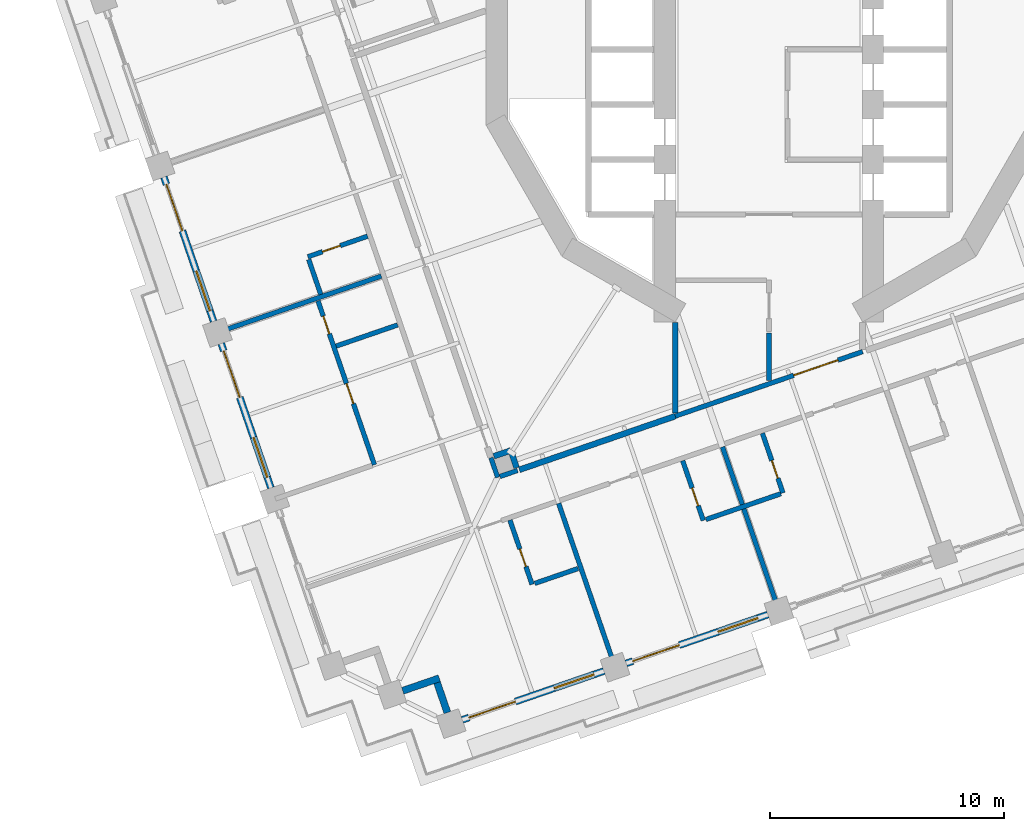
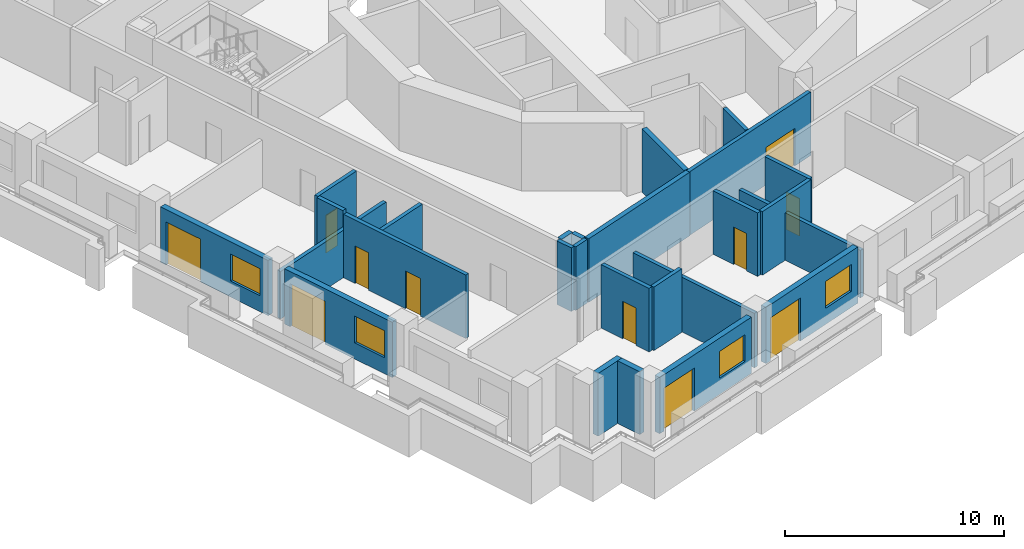
# One storey, part 4 of 19: 26 walls, 11 doors, 4 windows, 15 openings.
"""IFC4 building model written with IfcOpenShell, lengths in metres."""

import ifcopenshell
import ifcopenshell.guid

model = None  # the IFC model being written
_history = None  # IfcOwnerHistory: only IFC2X3 demands one
_inside = {}  # id of a spatial element -> (the spatial element, [elements in it])
_under = {}  # id of a project, library or spatial element -> (it, [spatial elements below it])
_declared = {}  # id of a project -> (the project, [libraries it declares])
_typed = {}  # id of a type object -> (the type object, [elements of that type])
_made_of = {}  # id of a material, layer set ... -> (it, [elements and type objects made of it])


def new_model(schema):
    """Start an empty IFC model of exactly this schema.

    Asked for "IFC4X3", IfcOpenShell would pick the latest addendum, in which some entities
    have other attributes; the version numbers below select the first issue.
    IFC2X3 requires an IfcOwnerHistory on every rooted entity: one is made here for all.
    """
    global model, _history
    if schema == "IFC4X3":
        model = ifcopenshell.file(schema_version=(4, 3, 0, 0))
    else:
        model = ifcopenshell.file(schema=schema)
    _inside.clear()
    _under.clear()
    _declared.clear()
    _typed.clear()
    _made_of.clear()
    _history = None
    if model.schema == "IFC2X3":
        org = make("IfcOrganization", Name="unknown")
        user = make(
            "IfcPersonAndOrganization",
            ThePerson=make("IfcPerson", FamilyName="unknown"),
            TheOrganization=org,
        )
        app = make(
            "IfcApplication",
            ApplicationDeveloper=org,
            Version="unknown",
            ApplicationFullName="unknown",
            ApplicationIdentifier="unknown",
        )
        _history = make(
            "IfcOwnerHistory",
            OwningUser=user,
            OwningApplication=app,
            ChangeAction="ADDED",
            CreationDate=0,
        )
    return model


def make(cls, **values):
    """One entity of the class cls with the attributes given. An attribute that is None is left unset."""
    return model.create_entity(
        cls, **{name: value for name, value in values.items() if value is not None}
    )


def rooted(cls, **values):
    """An entity with a GlobalId (a new one), such as an element, a storey or a relation."""
    return make(cls, GlobalId=ifcopenshell.guid.new(), OwnerHistory=_history, **values)


def si_unit(unit_type, name, prefix=None):
    """IfcSIUnit, for example si_unit("LENGTHUNIT", "METRE", prefix="MILLI")."""
    return make("IfcSIUnit", UnitType=unit_type, Prefix=prefix, Name=name)


def assignment(units):
    """IfcUnitAssignment: the units of a project."""
    return None if units is None else make("IfcUnitAssignment", Units=units)


def point(xyz):
    """IfcCartesianPoint."""
    return None if xyz is None else make("IfcCartesianPoint", Coordinates=xyz)


def direction(xyz):
    """IfcDirection."""
    return None if xyz is None else make("IfcDirection", DirectionRatios=xyz)


def frame(location, z_axis=None, x_axis=None):
    """IfcAxis2Placement3D, a coordinate frame: its origin and axes. An axis left out is left unset."""
    return make(
        "IfcAxis2Placement3D",
        Location=point(location),
        Axis=direction(z_axis),
        RefDirection=direction(x_axis),
    )


def frame_2d(location, x_axis=None):
    """IfcAxis2Placement2D, a coordinate frame in the plane: its origin and x axis."""
    return make(
        "IfcAxis2Placement2D", Location=point(location), RefDirection=direction(x_axis)
    )


def origin():
    """The frame at (0, 0, 0) with its axes left unset."""
    return frame((0.0, 0.0, 0.0))


def place(relative_to, where):
    """IfcLocalPlacement: puts the frame where relative to a parent placement (None: the world)."""
    return make(
        "IfcLocalPlacement", PlacementRelTo=relative_to, RelativePlacement=where
    )


def context(
    kind, dimensions, precision=None, world=None, true_north=None, identifier=None
):
    """IfcGeometricRepresentationContext, for example the 3D "Model" context."""
    return make(
        "IfcGeometricRepresentationContext",
        ContextIdentifier=identifier,
        ContextType=kind,
        CoordinateSpaceDimension=dimensions,
        Precision=precision,
        WorldCoordinateSystem=world,
        TrueNorth=true_north,
    )


def subcontext(parent, identifier, kind, view, scale=None):
    """IfcGeometricRepresentationSubContext, for example "Body" below "Model"."""
    return make(
        "IfcGeometricRepresentationSubContext",
        ContextIdentifier=identifier,
        ContextType=kind,
        ParentContext=parent,
        TargetScale=scale,
        TargetView=view,
    )


def project(units=None, contexts=None):
    """IfcProject with its units and contexts."""
    return rooted(
        "IfcProject",
        Name="project",
        RepresentationContexts=contexts,
        UnitsInContext=assignment(units),
    )


def spatial(cls, under=None, at=None, **own):
    """A site, building, storey or space (cls), placed at a placement, below another one or the project."""
    s = rooted(cls, ObjectPlacement=at, **own)
    if under is not None:
        _under.setdefault(under.id(), (under, []))[1].append(s)
    return s


def profile(cls, at=None, kind="AREA", **sizes):
    """A parametric profile (cls). Its sizes go by their IFC names, for example OverallWidth=200.0."""
    return make(cls, ProfileType=kind, Position=at, **sizes)


def rectangle(**sizes):
    """IfcRectangleProfileDef."""
    return profile("IfcRectangleProfileDef", **sizes)


def extrude(swept, where, along, depth):
    """IfcExtrudedAreaSolid: the profile swept, set in the frame where, extruded along a direction by depth."""
    return make(
        "IfcExtrudedAreaSolid",
        SweptArea=swept,
        Position=where,
        ExtrudedDirection=direction(along),
        Depth=depth,
    )


def shape(context_of_items, identifier, shape_type, items):
    """IfcShapeRepresentation: the items that make up one representation, for example the "Body"."""
    return make(
        "IfcShapeRepresentation",
        ContextOfItems=context_of_items,
        RepresentationIdentifier=identifier,
        RepresentationType=shape_type,
        Items=items,
    )


def material(Name=None, Category=None):
    """IfcMaterial."""
    return make("IfcMaterial", Name=Name, Category=Category)


def layer(
    of_material, thickness, ventilated=None, Name=None, Category=None, Priority=None
):
    """IfcMaterialLayer: one layer of a wall or slab, of a material (None: an air gap)."""
    return make(
        "IfcMaterialLayer",
        Material=of_material,
        LayerThickness=thickness,
        IsVentilated=ventilated,
        Name=Name,
        Category=Category,
        Priority=Priority,
    )


def layer_set(layers, Name=None):
    """IfcMaterialLayerSet."""
    return make("IfcMaterialLayerSet", MaterialLayers=layers, LayerSetName=Name)


def made_of(thing, what):
    """Note that an element or type object is made of a material, layer set ...; save() writes the relation."""
    if what is not None:
        _made_of.setdefault(what.id(), (what, []))[1].append(thing)
    return thing


def type_object(cls, material=None, **own):
    """A type object (cls), such as IfcWallType, which elements share."""
    return made_of(rooted(cls, **own), material)


def element(
    cls,
    number,
    at=None,
    inside=None,
    cuts=None,
    type_object=None,
    material=None,
    context=None,
    identifier="Body",
    shape_type=None,
    held_by="IfcProductDefinitionShape",
    body=None,
    shapes=None,
    **own,
):
    """One element of the class cls, such as IfcWall. Its Tag is "e" and its number.

    at: its placement. inside: the storey or other place that contains it. cuts: it is an
    opening in that element (IfcRelVoidsElement). A single representation is given by context,
    identifier, shape_type and body (its items); several are given by shapes. held_by: the class
    of the entity that holds the representations. save() writes the other relations.
    """
    e = rooted(cls, Tag="e%d" % number, ObjectPlacement=at, **own)
    if body is not None:
        shapes = [shape(context, identifier, shape_type, body)]
    if shapes is not None:
        e.Representation = make(held_by, Representations=shapes)
    if inside is not None:
        _inside.setdefault(inside.id(), (inside, []))[1].append(e)
    if cuts is not None:
        rooted(
            "IfcRelVoidsElement", RelatingBuildingElement=cuts, RelatedOpeningElement=e
        )
    if type_object is not None:
        _typed.setdefault(type_object.id(), (type_object, []))[1].append(e)
    return made_of(e, material)


def fill(opening, filler):
    """IfcRelFillsElement: the door or window that sits in an opening."""
    return rooted(
        "IfcRelFillsElement",
        RelatingOpeningElement=opening,
        RelatedBuildingElement=filler,
    )


def aggregate(whole, parts):
    """IfcRelAggregates: a whole, such as a stair, and the parts it consists of."""
    return rooted("IfcRelAggregates", RelatingObject=whole, RelatedObjects=parts)


def save(model, path):
    """Write the relations noted so far, then the file.

    IfcRelAggregates (storeys below a building ...), IfcRelContainedInSpatialStructure (elements
    in a storey), IfcRelDefinesByType, IfcRelAssociatesMaterial and IfcRelDeclares: one each for
    every whole, place, type object, material and project.
    """
    for whole, parts in _under.values():
        aggregate(whole, parts)
    for where, things in _inside.values():
        rooted(
            "IfcRelContainedInSpatialStructure",
            RelatedElements=things,
            RelatingStructure=where,
        )
    for kind, things in _typed.values():
        rooted("IfcRelDefinesByType", RelatedObjects=things, RelatingType=kind)
    for what, things in _made_of.values():
        rooted("IfcRelAssociatesMaterial", RelatedObjects=things, RelatingMaterial=what)
    for by, libraries in _declared.values():
        rooted("IfcRelDeclares", RelatingContext=by, RelatedDefinitions=libraries)
    model.write(path)


model = new_model("IFC4")

# Units and contexts
model_context = context("Model", 3, precision=1e-05, world=origin(), true_north=direction((0.0, 1.0)))
body_context = subcontext(model_context, "Body", "Model", "MODEL_VIEW")
ifc_project = project(units=[si_unit("LENGTHUNIT", "METRE"), si_unit("AREAUNIT", "SQUARE_METRE"), si_unit("VOLUMEUNIT", "CUBIC_METRE"), si_unit("PLANEANGLEUNIT", "RADIAN"), si_unit("MASSUNIT", "GRAM", prefix="KILO")], contexts=[model_context])

# Site, building, storey
site_placement = place(None, origin())
site = spatial("IfcSite", under=ifc_project, at=site_placement, CompositionType="ELEMENT")
building_placement = place(site_placement, origin())
building = spatial("IfcBuilding", under=site, at=building_placement, Name="Cantera Rosa Tower", CompositionType="ELEMENT")
storey_placement = place(building_placement, frame((0.0, 0.0, 111.699951171875)))
storey = spatial("IfcBuildingStorey", under=building, at=storey_placement, Name="L22", CompositionType="ELEMENT", Elevation=111.699951171875)

# Walls
ifc_material_1 = material(Name="Gypsum board partition")
ifc_layer_1 = layer(ifc_material_1, 0.199951171875)
ifc_layer_set_1 = layer_set([ifc_layer_1], Name="CORRIDOR WALL 200 H3550")
wall_type_1 = type_object("IfcWallType", Name="CORRIDOR WALL 200 H3550", PredefinedType="PARTITIONING", material=ifc_layer_set_1)
wall_1_placement = place(storey_placement, frame((-11.87060546875, -17.4345703125, 0.0), z_axis=(0.0, 0.0, 1.0), x_axis=(0.325699973339, -0.94547317644, 0.0)))
element("IfcWall", 1, at=wall_1_placement, inside=storey, type_object=wall_type_1, Name="CORRIDOR WALL L22-030", PredefinedType="PARTITIONING", context=body_context, shape_type="SweptSolid", body=[
    extrude(rectangle(XDim=0.880126953125, YDim=0.199951171875, at=frame_2d((0.43994140625, 0.0))), origin(), (0.0, 0.0, 1.0), 3.550048828125),
])
wall_2_placement = place(storey_placement, frame((-11.489501953125, -18.23388671875, 0.0), z_axis=(0.0, 0.0, 1.0), x_axis=(0.945586856903, 0.325369783557, 0.0)))
element("IfcWall", 2, at=wall_2_placement, inside=storey, type_object=wall_type_1, Name="CORRIDOR WALL L22-031", PredefinedType="PARTITIONING", context=body_context, shape_type="SweptSolid", body=[
    extrude(rectangle(XDim=0.7998046875, YDim=0.199951171875, at=frame_2d((0.39990234375, 0.0))), origin(), (0.0, 0.0, 1.0), 3.550048828125),
])

# Wall, opening, door
wall_3_placement = place(storey_placement, frame((-4.0, -15.6552734375, 0.0), z_axis=(0.0, 0.0, 1.0), x_axis=(0.945517929243, 0.325570031606, 0.0)))
wall_3 = element("IfcWall", 3, at=wall_3_placement, inside=storey, type_object=wall_type_1, Name="CORRIDOR WALL L22-048", PredefinedType="PARTITIONING", context=body_context, shape_type="SweptSolid", body=[
    extrude(rectangle(XDim=8.4609375, YDim=0.199951171875, at=frame_2d((4.23046875, 0.0))), origin(), (0.0, 0.0, 1.0), 3.550048828125),
])
opening_1_placement = place(wall_3_placement, frame((5.345703125, 0.0, 0.0)))
opening_1 = element("IfcOpeningElement", 4, at=opening_1_placement, cuts=wall_3, Name="Opening L22-009", PredefinedType="OPENING", context=body_context, shape_type="SweptSolid", body=[
    extrude(rectangle(XDim=2.0, YDim=2.10009765625, at=frame_2d((1.0, 1.050048828125))), frame((0.0, 0.10986328125, 0.0), z_axis=(0.0, -1.0, 0.0), x_axis=(1.0, 0.0, 0.0)), (0.0, 0.0, 1.0), 0.219970703125),
])
ifc_material_2 = material(Name="Steel S355J2 (EN 10025-2)", Category="steel")
door_type_1 = type_object("IfcDoorType", Name="LOBBY SCREEN DOOR 2000x2100", OperationType="NOTDEFINED", PredefinedType="DOOR", material=ifc_material_2)
door_1_placement = place(opening_1_placement, origin())
door_1 = element("IfcDoor", 5, at=door_1_placement, inside=storey, type_object=door_type_1, Name="DOOR L22-009", OperationType="NOTDEFINED", OverallHeight=2.10009765625, OverallWidth=2.0, PredefinedType="DOOR", context=body_context, shape_type="SweptSolid", body=[
    extrude(rectangle(XDim=2.0, YDim=2.10009765625, at=frame_2d((1.0, 1.050048828125))), frame((0.0, 0.02490234375, 0.0), z_axis=(0.0, -1.0, 0.0), x_axis=(1.0, 0.0, 0.0)), (0.0, 0.0, 1.0), 0.050048828125),
])
fill(opening_1, door_1)

# Walls
wall_4_placement = place(storey_placement, frame((0.0, -14.137939453125, 0.0), z_axis=(0.0, 0.0, 1.0), x_axis=(0.0, 1.0, 0.0)))
element("IfcWall", 6, at=wall_4_placement, inside=storey, type_object=wall_type_1, Name="CORRIDOR WALL L22-060", PredefinedType="PARTITIONING", context=body_context, shape_type="SweptSolid", body=[
    extrude(rectangle(XDim=2.033935546875, YDim=0.199951171875, at=frame_2d((1.01708984375, 0.0))), origin(), (0.0, 0.0, 1.0), 3.550048828125),
])
ifc_material_3 = material(Name="Hollow clay masonry with cantera stone cladding", Category="masonry")
ifc_layer_2 = layer(ifc_material_3, 0.300048828125)
ifc_layer_set_2 = layer_set([ifc_layer_2], Name="EW-LOGGIA 300")
wall_type_2 = type_object("IfcWallType", Name="EW-LOGGIA 300", PredefinedType="SOLIDWALL", material=ifc_layer_set_2)
wall_5_placement = place(storey_placement, frame((-15.636962890625, -27.3828125, 0.0), z_axis=(0.0, 0.0, 1.0), x_axis=(0.945484566827, 0.325666906351, 0.0)))
element("IfcWall", 7, at=wall_5_placement, inside=storey, type_object=wall_type_2, Name="EN-L22-W22a", PredefinedType="SOLIDWALL", context=body_context, shape_type="SweptSolid", body=[
    extrude(rectangle(XDim=1.64990234375, YDim=0.300048828125, at=frame_2d((0.824951171875, 0.0))), origin(), (0.0, 0.0, 1.0), 3.5),
])
wall_6_placement = place(storey_placement, frame((-14.169921875, -27.0361328125, 0.0), z_axis=(0.0, 0.0, 1.0), x_axis=(0.325650742363, -0.945490134268, 0.0)))
element("IfcWall", 8, at=wall_6_placement, inside=storey, type_object=wall_type_2, Name="EN-L22-W22b", PredefinedType="SOLIDWALL", context=body_context, shape_type="SweptSolid", body=[
    extrude(rectangle(XDim=1.35009765625, YDim=0.300048828125, at=frame_2d((0.675048828125, 0.0))), origin(), (0.0, 0.0, 1.0), 3.5),
])

# Wall, openings, window, door
ifc_material_4 = material(Name="Hollow clay masonry with cantera stone cladding", Category="masonry")
ifc_layer_3 = layer(ifc_material_4, 0.300048828125)
ifc_layer_set_3 = layer_set([ifc_layer_3], Name="EW-LOGGIA 300 H3090")
wall_type_3 = type_object("IfcWallType", Name="EW-LOGGIA 300 H3090", PredefinedType="SOLIDWALL", material=ifc_layer_set_3)
wall_7_placement = place(storey_placement, frame((-25.833984375, -5.447509765625, 0.0), z_axis=(0.0, 0.0, 1.0), x_axis=(0.325580990241, -0.945514155787, 0.0)))
wall_7 = element("IfcWall", 9, at=wall_7_placement, inside=storey, type_object=wall_type_3, Name="EN-L22-W18", PredefinedType="SOLIDWALL", context=body_context, shape_type="SweptSolid", body=[
    extrude(rectangle(XDim=6.52001953125, YDim=0.300048828125, at=frame_2d((3.260009765625, 0.0))), origin(), (0.0, 0.0, 1.0), 3.090087890625),
])
opening_2_placement = place(wall_7_placement, frame((0.330078125, 0.0, 0.0)))
opening_2 = element("IfcOpeningElement", 10, at=opening_2_placement, cuts=wall_7, Name="Opening L22-TD23", PredefinedType="OPENING", context=body_context, shape_type="SweptSolid", body=[
    extrude(rectangle(XDim=2.10009765625, YDim=2.39990234375, at=frame_2d((1.050048828125, 1.199951171875))), frame((0.0, 0.159912109375, 0.0), z_axis=(0.0, -1.0, 0.0), x_axis=(1.0, 0.0, 0.0)), (0.0, 0.0, 1.0), 0.320068359375),
])
opening_3_placement = place(wall_7_placement, frame((4.239990234375, 0.0, 0.89990234375)))
opening_3 = element("IfcOpeningElement", 11, at=opening_3_placement, cuts=wall_7, Name="Opening L22-W24", PredefinedType="OPENING", context=body_context, shape_type="SweptSolid", body=[
    extrude(rectangle(XDim=1.800048828125, YDim=1.5, at=frame_2d((0.89990234375, 0.75))), frame((0.0, 0.159912109375, 0.0), z_axis=(0.0, -1.0, 0.0), x_axis=(1.0, 0.0, 0.0)), (0.0, 0.0, 1.0), 0.320068359375),
])
ifc_material_5 = material(Name="Aluminium frame with clear glass", Category="aluminium")
window_type = type_object("IfcWindowType", Name="Hotel room window 1800x1500", PartitioningType="DOUBLE_PANEL_VERTICAL", PredefinedType="WINDOW", material=ifc_material_5)
window_1_placement = place(opening_3_placement, origin())
window_1 = element("IfcWindow", 12, at=window_1_placement, inside=storey, type_object=window_type, Name="WINDOW L22-W24", OverallHeight=1.5, OverallWidth=1.800048828125, PartitioningType="SINGLE_PANEL", PredefinedType="WINDOW", context=body_context, shape_type="SweptSolid", body=[
    extrude(rectangle(XDim=1.800048828125, YDim=1.5, at=frame_2d((0.89990234375, 0.75))), frame((0.0, 0.030029296875, 0.0), z_axis=(0.0, -1.0, 0.0), x_axis=(1.0, 0.0, 0.0)), (0.0, 0.0, 1.0), 0.06005859375),
])
fill(opening_3, window_1)
ifc_material_6 = material(Name="Aluminium frame with clear glass", Category="aluminium")
door_type_2 = type_object("IfcDoorType", Name="TD-H 2100x2400", OperationType="NOTDEFINED", PredefinedType="DOOR", material=ifc_material_6)
door_2_placement = place(opening_2_placement, origin())
door_2 = element("IfcDoor", 13, at=door_2_placement, inside=storey, type_object=door_type_2, Name="LOGGIA DOOR L22-TD23", OperationType="SLIDING_TO_LEFT", OverallHeight=2.39990234375, OverallWidth=2.10009765625, PredefinedType="DOOR", context=body_context, shape_type="SweptSolid", body=[
    extrude(rectangle(XDim=2.10009765625, YDim=2.39990234375, at=frame_2d((1.050048828125, 1.199951171875))), frame((0.0, 0.02490234375, 0.0), z_axis=(0.0, -1.0, 0.0), x_axis=(1.0, 0.0, 0.0)), (0.0, 0.0, 1.0), 0.050048828125),
])
fill(opening_2, door_2)

wall_8_placement = place(storey_placement, frame((-23.3857421875, -12.557861328125, 0.0), z_axis=(0.0, 0.0, 1.0), x_axis=(0.325580990241, -0.945514155787, 0.0)))
wall_8 = element("IfcWall", 14, at=wall_8_placement, inside=storey, type_object=wall_type_3, Name="EN-L22-W19", PredefinedType="SOLIDWALL", context=body_context, shape_type="SweptSolid", body=[
    extrude(rectangle(XDim=6.52001953125, YDim=0.300048828125, at=frame_2d((3.260009765625, 0.0))), origin(), (0.0, 0.0, 1.0), 3.090087890625),
])
opening_4_placement = place(wall_8_placement, frame((0.330078125, 0.0, 0.0)))
opening_4 = element("IfcOpeningElement", 15, at=opening_4_placement, cuts=wall_8, Name="Opening L22-TD25", PredefinedType="OPENING", context=body_context, shape_type="SweptSolid", body=[
    extrude(rectangle(XDim=2.10009765625, YDim=2.39990234375, at=frame_2d((1.050048828125, 1.199951171875))), frame((0.0, 0.159912109375, 0.0), z_axis=(0.0, -1.0, 0.0), x_axis=(1.0, 0.0, 0.0)), (0.0, 0.0, 1.0), 0.320068359375),
])
opening_5_placement = place(wall_8_placement, frame((4.239990234375, 0.0, 0.89990234375)))
opening_5 = element("IfcOpeningElement", 16, at=opening_5_placement, cuts=wall_8, Name="Opening L22-W26", PredefinedType="OPENING", context=body_context, shape_type="SweptSolid", body=[
    extrude(rectangle(XDim=1.800048828125, YDim=1.5, at=frame_2d((0.89990234375, 0.75))), frame((0.0, 0.159912109375, 0.0), z_axis=(0.0, -1.0, 0.0), x_axis=(1.0, 0.0, 0.0)), (0.0, 0.0, 1.0), 0.320068359375),
])
window_2_placement = place(opening_5_placement, origin())
window_2 = element("IfcWindow", 17, at=window_2_placement, inside=storey, type_object=window_type, Name="WINDOW L22-W26", OverallHeight=1.5, OverallWidth=1.800048828125, PartitioningType="SINGLE_PANEL", PredefinedType="WINDOW", context=body_context, shape_type="SweptSolid", body=[
    extrude(rectangle(XDim=1.800048828125, YDim=1.5, at=frame_2d((0.89990234375, 0.75))), frame((0.0, 0.030029296875, 0.0), z_axis=(0.0, -1.0, 0.0), x_axis=(1.0, 0.0, 0.0)), (0.0, 0.0, 1.0), 0.06005859375),
])
fill(opening_5, window_2)
door_3_placement = place(opening_4_placement, origin())
door_3 = element("IfcDoor", 18, at=door_3_placement, inside=storey, type_object=door_type_2, Name="LOGGIA DOOR L22-TD25", OperationType="SLIDING_TO_LEFT", OverallHeight=2.39990234375, OverallWidth=2.10009765625, PredefinedType="DOOR", context=body_context, shape_type="SweptSolid", body=[
    extrude(rectangle(XDim=2.10009765625, YDim=2.39990234375, at=frame_2d((1.050048828125, 1.199951171875))), frame((0.0, 0.02490234375, 0.0), z_axis=(0.0, -1.0, 0.0), x_axis=(1.0, 0.0, 0.0)), (0.0, 0.0, 1.0), 0.050048828125),
])
fill(opening_4, door_3)

ifc_material_7 = material(Name="Hollow clay masonry with cantera stone cladding", Category="masonry")
ifc_layer_4 = layer(ifc_material_7, 0.300048828125)
ifc_layer_set_4 = layer_set([ifc_layer_4], Name="EW-LOGGIA 300 H3140")
wall_type_4 = type_object("IfcWallType", Name="EW-LOGGIA 300 H3140", PredefinedType="SOLIDWALL", material=ifc_layer_set_4)
wall_9_placement = place(storey_placement, frame((-13.0947265625, -28.62255859375, 0.0), z_axis=(0.0, 0.0, 1.0), x_axis=(0.945524496524, 0.325550958337, 0.0)))
wall_9 = element("IfcWall", 19, at=wall_9_placement, inside=storey, type_object=wall_type_4, Name="EN-L22-W23", PredefinedType="SOLIDWALL", context=body_context, shape_type="SweptSolid", body=[
    extrude(rectangle(XDim=6.39990234375, YDim=0.300048828125, at=frame_2d((3.199951171875, 0.0))), origin(), (0.0, 0.0, 1.0), 3.14013671875),
])
opening_6_placement = place(wall_9_placement, frame((0.300048828125, 0.0, 0.0)))
opening_6 = element("IfcOpeningElement", 20, at=opening_6_placement, cuts=wall_9, Name="Opening L22-TD29", PredefinedType="OPENING", context=body_context, shape_type="SweptSolid", body=[
    extrude(rectangle(XDim=2.10009765625, YDim=2.39990234375, at=frame_2d((1.050048828125, 1.199951171875))), frame((0.0, 0.159912109375, 0.0), z_axis=(0.0, -1.0, 0.0), x_axis=(1.0, 0.0, 0.0)), (0.0, 0.0, 1.0), 0.320068359375),
])
opening_7_placement = place(wall_9_placement, frame((4.14990234375, 0.0, 0.89990234375)))
opening_7 = element("IfcOpeningElement", 21, at=opening_7_placement, cuts=wall_9, Name="Opening L22-W30", PredefinedType="OPENING", context=body_context, shape_type="SweptSolid", body=[
    extrude(rectangle(XDim=1.800048828125, YDim=1.5, at=frame_2d((0.89990234375, 0.75))), frame((0.0, 0.159912109375, 0.0), z_axis=(0.0, -1.0, 0.0), x_axis=(1.0, 0.0, 0.0)), (0.0, 0.0, 1.0), 0.320068359375),
])
window_3_placement = place(opening_7_placement, origin())
window_3 = element("IfcWindow", 22, at=window_3_placement, inside=storey, type_object=window_type, Name="WINDOW L22-W30", OverallHeight=1.5, OverallWidth=1.800048828125, PartitioningType="SINGLE_PANEL", PredefinedType="WINDOW", context=body_context, shape_type="SweptSolid", body=[
    extrude(rectangle(XDim=1.800048828125, YDim=1.5, at=frame_2d((0.89990234375, 0.75))), frame((0.0, 0.030029296875, 0.0), z_axis=(0.0, -1.0, 0.0), x_axis=(1.0, 0.0, 0.0)), (0.0, 0.0, 1.0), 0.06005859375),
])
fill(opening_7, window_3)
door_4_placement = place(opening_6_placement, origin())
door_4 = element("IfcDoor", 23, at=door_4_placement, inside=storey, type_object=door_type_2, Name="LOGGIA DOOR L22-TD29", OperationType="SLIDING_TO_LEFT", OverallHeight=2.39990234375, OverallWidth=2.10009765625, PredefinedType="DOOR", context=body_context, shape_type="SweptSolid", body=[
    extrude(rectangle(XDim=2.10009765625, YDim=2.39990234375, at=frame_2d((1.050048828125, 1.199951171875))), frame((0.0, 0.02490234375, 0.0), z_axis=(0.0, -1.0, 0.0), x_axis=(1.0, 0.0, 0.0)), (0.0, 0.0, 1.0), 0.050048828125),
])
fill(opening_6, door_4)

wall_10_placement = place(storey_placement, frame((-6.097900390625, -26.21337890625, 0.0), z_axis=(0.0, 0.0, 1.0), x_axis=(0.945524496524, 0.325550958337, 0.0)))
wall_10 = element("IfcWall", 24, at=wall_10_placement, inside=storey, type_object=wall_type_4, Name="EN-L22-W24", PredefinedType="SOLIDWALL", context=body_context, shape_type="SweptSolid", body=[
    extrude(rectangle(XDim=6.39990234375, YDim=0.300048828125, at=frame_2d((3.199951171875, 0.0))), origin(), (0.0, 0.0, 1.0), 3.14013671875),
])
opening_8_placement = place(wall_10_placement, frame((0.300048828125, 0.0, 0.0)))
opening_8 = element("IfcOpeningElement", 25, at=opening_8_placement, cuts=wall_10, Name="Opening L22-TD31", PredefinedType="OPENING", context=body_context, shape_type="SweptSolid", body=[
    extrude(rectangle(XDim=2.10009765625, YDim=2.39990234375, at=frame_2d((1.050048828125, 1.199951171875))), frame((0.0, 0.159912109375, 0.0), z_axis=(0.0, -1.0, 0.0), x_axis=(1.0, 0.0, 0.0)), (0.0, 0.0, 1.0), 0.320068359375),
])
opening_9_placement = place(wall_10_placement, frame((4.14990234375, 0.0, 0.89990234375)))
opening_9 = element("IfcOpeningElement", 26, at=opening_9_placement, cuts=wall_10, Name="Opening L22-W32", PredefinedType="OPENING", context=body_context, shape_type="SweptSolid", body=[
    extrude(rectangle(XDim=1.800048828125, YDim=1.5, at=frame_2d((0.89990234375, 0.75))), frame((0.0, 0.159912109375, 0.0), z_axis=(0.0, -1.0, 0.0), x_axis=(1.0, 0.0, 0.0)), (0.0, 0.0, 1.0), 0.320068359375),
])
window_4_placement = place(opening_9_placement, origin())
window_4 = element("IfcWindow", 27, at=window_4_placement, inside=storey, type_object=window_type, Name="WINDOW L22-W32", OverallHeight=1.5, OverallWidth=1.800048828125, PartitioningType="SINGLE_PANEL", PredefinedType="WINDOW", context=body_context, shape_type="SweptSolid", body=[
    extrude(rectangle(XDim=1.800048828125, YDim=1.5, at=frame_2d((0.89990234375, 0.75))), frame((0.0, 0.030029296875, 0.0), z_axis=(0.0, -1.0, 0.0), x_axis=(1.0, 0.0, 0.0)), (0.0, 0.0, 1.0), 0.06005859375),
])
fill(opening_9, window_4)
door_5_placement = place(opening_8_placement, origin())
door_5 = element("IfcDoor", 28, at=door_5_placement, inside=storey, type_object=door_type_2, Name="LOGGIA DOOR L22-TD31", OperationType="SLIDING_TO_LEFT", OverallHeight=2.39990234375, OverallWidth=2.10009765625, PredefinedType="DOOR", context=body_context, shape_type="SweptSolid", body=[
    extrude(rectangle(XDim=2.10009765625, YDim=2.39990234375, at=frame_2d((1.050048828125, 1.199951171875))), frame((0.0, 0.02490234375, 0.0), z_axis=(0.0, -1.0, 0.0), x_axis=(1.0, 0.0, 0.0)), (0.0, 0.0, 1.0), 0.050048828125),
])
fill(opening_8, door_5)

# Wall, opening, door
ifc_material_8 = material(Name="Gypsum board partition")
ifc_layer_5 = layer(ifc_material_8, 0.199951171875)
ifc_layer_set_5 = layer_set([ifc_layer_5], Name="PARTITION 200 H3550")
wall_type_5 = type_object("IfcWallType", Name="PARTITION 200 H3550", PredefinedType="PARTITIONING", material=ifc_layer_set_5)
wall_11_placement = place(storey_placement, frame((-19.6904296875, -8.852783203125, 0.0), z_axis=(0.0, 0.0, 1.0), x_axis=(0.945526634763, 0.325544748006, 0.0)))
wall_11 = element("IfcWall", 29, at=wall_11_placement, inside=storey, type_object=wall_type_5, Name="PARTITION L22-013", PredefinedType="PARTITIONING", context=body_context, shape_type="SweptSolid", body=[
    extrude(rectangle(XDim=2.69970703125, YDim=0.199951171875, at=frame_2d((1.349853515625, 0.0))), origin(), (0.0, 0.0, 1.0), 3.550048828125),
])
opening_10_placement = place(wall_11_placement, frame((0.6640625, 0.0, 0.0)))
opening_10 = element("IfcOpeningElement", 30, at=opening_10_placement, cuts=wall_11, Name="Opening L22-030", PredefinedType="OPENING", context=body_context, shape_type="SweptSolid", body=[
    extrude(rectangle(XDim=0.800048828125, YDim=2.10009765625, at=frame_2d((0.39990234375, 1.050048828125))), frame((0.0, 0.10986328125, 0.0), z_axis=(0.0, -1.0, 0.0), x_axis=(1.0, 0.0, 0.0)), (0.0, 0.0, 1.0), 0.219970703125),
])
ifc_material_9 = material(Name="Timber door leaf", Category="wood")
door_type_3 = type_object("IfcDoorType", Name="BATHROOM DOOR 800x2100", OperationType="NOTDEFINED", PredefinedType="DOOR", material=ifc_material_9)
door_6_placement = place(opening_10_placement, origin())
door_6 = element("IfcDoor", 31, at=door_6_placement, inside=storey, type_object=door_type_3, Name="DOOR L22-030", OperationType="NOTDEFINED", OverallHeight=2.10009765625, OverallWidth=0.800048828125, PredefinedType="DOOR", context=body_context, shape_type="SweptSolid", body=[
    extrude(rectangle(XDim=0.800048828125, YDim=2.10009765625, at=frame_2d((0.39990234375, 1.050048828125))), frame((0.0, 0.02490234375, 0.0), z_axis=(0.0, -1.0, 0.0), x_axis=(1.0, 0.0, 0.0)), (0.0, 0.0, 1.0), 0.050048828125),
])
fill(opening_10, door_6)

# Wall, openings, doors
wall_12_placement = place(storey_placement, frame((-19.25439453125, -10.7333984375, 0.0), z_axis=(0.0, 0.0, 1.0), x_axis=(0.325565645331, -0.945519439557, 0.0)))
wall_12 = element("IfcWall", 32, at=wall_12_placement, inside=storey, type_object=wall_type_5, Name="PARTITION L22-014", PredefinedType="PARTITIONING", context=body_context, shape_type="SweptSolid", body=[
    extrude(rectangle(XDim=7.39990234375, YDim=0.199951171875, at=frame_2d((3.699951171875, 0.0))), origin(), (0.0, 0.0, 1.0), 3.550048828125),
])
opening_11_placement = place(wall_12_placement, frame((3.739990234375, 0.0, 0.0)))
opening_11 = element("IfcOpeningElement", 33, at=opening_11_placement, cuts=wall_12, Name="Opening L22-032", PredefinedType="OPENING", context=body_context, shape_type="SweptSolid", body=[
    extrude(rectangle(XDim=0.89990234375, YDim=2.10009765625, at=frame_2d((0.449951171875, 1.050048828125))), frame((0.0, 0.10986328125, 0.0), z_axis=(0.0, -1.0, 0.0), x_axis=(1.0, 0.0, 0.0)), (0.0, 0.0, 1.0), 0.219970703125),
])
opening_12_placement = place(wall_12_placement, frame((0.68994140625, 0.0, 0.0)))
opening_12 = element("IfcOpeningElement", 34, at=opening_12_placement, cuts=wall_12, Name="Opening L22-033", PredefinedType="OPENING", context=body_context, shape_type="SweptSolid", body=[
    extrude(rectangle(XDim=0.800048828125, YDim=2.10009765625, at=frame_2d((0.39990234375, 1.050048828125))), frame((0.0, 0.10986328125, 0.0), z_axis=(0.0, -1.0, 0.0), x_axis=(1.0, 0.0, 0.0)), (0.0, 0.0, 1.0), 0.219970703125),
])
door_7_placement = place(opening_12_placement, origin())
door_7 = element("IfcDoor", 35, at=door_7_placement, inside=storey, type_object=door_type_3, Name="DOOR L22-033", OperationType="NOTDEFINED", OverallHeight=2.10009765625, OverallWidth=0.800048828125, PredefinedType="DOOR", context=body_context, shape_type="SweptSolid", body=[
    extrude(rectangle(XDim=0.800048828125, YDim=2.10009765625, at=frame_2d((0.39990234375, 1.050048828125))), frame((0.0, 0.02490234375, 0.0), z_axis=(0.0, -1.0, 0.0), x_axis=(1.0, 0.0, 0.0)), (0.0, 0.0, 1.0), 0.050048828125),
])
fill(opening_12, door_7)
ifc_material_10 = material(Name="Timber door leaf", Category="wood")
door_type_4 = type_object("IfcDoorType", Name="ROOM DOOR 900x2100", OperationType="NOTDEFINED", PredefinedType="DOOR", material=ifc_material_10)
door_8_placement = place(opening_11_placement, origin())
door_8 = element("IfcDoor", 36, at=door_8_placement, inside=storey, type_object=door_type_4, Name="DOOR L22-032", OperationType="NOTDEFINED", OverallHeight=2.10009765625, OverallWidth=0.89990234375, PredefinedType="DOOR", context=body_context, shape_type="SweptSolid", body=[
    extrude(rectangle(XDim=0.89990234375, YDim=2.10009765625, at=frame_2d((0.449951171875, 1.050048828125))), frame((0.0, 0.02490234375, 0.0), z_axis=(0.0, -1.0, 0.0), x_axis=(1.0, 0.0, 0.0)), (0.0, 0.0, 1.0), 0.050048828125),
])
fill(opening_11, door_8)

# Walls
wall_13_placement = place(storey_placement, frame((-19.13720703125, -10.460205078125, 0.0), z_axis=(0.0, 0.0, 1.0), x_axis=(-0.325576351052, 0.945515753246, 0.0)))
element("IfcWall", 37, at=wall_13_placement, inside=storey, type_object=wall_type_5, Name="PARTITION L22-016", PredefinedType="PARTITIONING", context=body_context, shape_type="SweptSolid", body=[
    extrude(rectangle(XDim=1.580078125, YDim=0.199951171875, at=frame_2d((0.7900390625, 0.0))), origin(), (0.0, 0.0, 1.0), 3.550048828125),
])
wall_14_placement = place(storey_placement, frame((-15.854248046875, -11.762451171875, 0.0), z_axis=(0.0, 0.0, 1.0), x_axis=(-0.945528723608, -0.325538681008, 0.0)))
element("IfcWall", 38, at=wall_14_placement, inside=storey, type_object=wall_type_5, Name="PARTITION L22-024", PredefinedType="PARTITIONING", context=body_context, shape_type="SweptSolid", body=[
    extrude(rectangle(XDim=2.780029296875, YDim=0.199951171875, at=frame_2d((1.39013671875, 0.0))), origin(), (0.0, 0.0, 1.0), 3.550048828125),
])

# Wall, opening, door
wall_15_placement = place(storey_placement, frame((-10.115966796875, -22.837646484375, 0.0), z_axis=(0.0, 0.0, 1.0), x_axis=(-0.325557359554, 0.945522292514, 0.0)))
wall_15 = element("IfcWall", 39, at=wall_15_placement, inside=storey, type_object=wall_type_5, Name="PARTITION L22-036", PredefinedType="PARTITIONING", context=body_context, shape_type="SweptSolid", body=[
    extrude(rectangle(XDim=2.89990234375, YDim=0.199951171875, at=frame_2d((1.449951171875, 0.0))), origin(), (0.0, 0.0, 1.0), 3.550048828125),
])
opening_13_placement = place(wall_15_placement, frame((0.800048828125, 0.0, 0.0)))
opening_13 = element("IfcOpeningElement", 40, at=opening_13_placement, cuts=wall_15, Name="Opening L22-043", PredefinedType="OPENING", context=body_context, shape_type="SweptSolid", body=[
    extrude(rectangle(XDim=0.800048828125, YDim=2.10009765625, at=frame_2d((0.39990234375, 1.050048828125))), frame((0.0, 0.10986328125, 0.0), z_axis=(0.0, -1.0, 0.0), x_axis=(1.0, 0.0, 0.0)), (0.0, 0.0, 1.0), 0.219970703125),
])
door_9_placement = place(opening_13_placement, origin())
door_9 = element("IfcDoor", 41, at=door_9_placement, inside=storey, type_object=door_type_3, Name="DOOR L22-043", OperationType="NOTDEFINED", OverallHeight=2.10009765625, OverallWidth=0.800048828125, PredefinedType="DOOR", context=body_context, shape_type="SweptSolid", body=[
    extrude(rectangle(XDim=0.800048828125, YDim=2.10009765625, at=frame_2d((0.39990234375, 1.050048828125))), frame((0.0, 0.02490234375, 0.0), z_axis=(0.0, -1.0, 0.0), x_axis=(1.0, 0.0, 0.0)), (0.0, 0.0, 1.0), 0.050048828125),
])
fill(opening_13, door_9)

# Wall
wall_16_placement = place(storey_placement, frame((-8.149169921875, -22.160400390625, 0.0), z_axis=(0.0, 0.0, 1.0), x_axis=(-0.945510558394, -0.325591437181, 0.0)))
element("IfcWall", 42, at=wall_16_placement, inside=storey, type_object=wall_type_5, Name="PARTITION L22-037", PredefinedType="PARTITIONING", context=body_context, shape_type="SweptSolid", body=[
    extrude(rectangle(XDim=1.9599609375, YDim=0.199951171875, at=frame_2d((0.97998046875, 0.0))), origin(), (0.0, 0.0, 1.0), 3.550048828125),
])

# Wall, opening, door
wall_17_placement = place(storey_placement, frame((-2.805908203125, -20.109130859375, 0.0), z_axis=(0.0, 0.0, 1.0), x_axis=(-0.325597751787, 0.945508383903, 0.0)))
wall_17 = element("IfcWall", 43, at=wall_17_placement, inside=storey, type_object=wall_type_5, Name="PARTITION L22-053", PredefinedType="PARTITIONING", context=body_context, shape_type="SweptSolid", body=[
    extrude(rectangle(XDim=2.7001953125, YDim=0.199951171875, at=frame_2d((1.35009765625, 0.0))), origin(), (0.0, 0.0, 1.0), 3.550048828125),
])
opening_14_placement = place(wall_17_placement, frame((0.6640625, 0.0, 0.0)))
opening_14 = element("IfcOpeningElement", 44, at=opening_14_placement, cuts=wall_17, Name="Opening L22-036", PredefinedType="OPENING", context=body_context, shape_type="SweptSolid", body=[
    extrude(rectangle(XDim=0.800048828125, YDim=2.10009765625, at=frame_2d((0.39990234375, 1.050048828125))), frame((0.0, 0.10986328125, 0.0), z_axis=(0.0, -1.0, 0.0), x_axis=(1.0, 0.0, 0.0)), (0.0, 0.0, 1.0), 0.219970703125),
])
door_10_placement = place(opening_14_placement, origin())
door_10 = element("IfcDoor", 45, at=door_10_placement, inside=storey, type_object=door_type_3, Name="DOOR L22-036", OperationType="NOTDEFINED", OverallHeight=2.10009765625, OverallWidth=0.800048828125, PredefinedType="DOOR", context=body_context, shape_type="SweptSolid", body=[
    extrude(rectangle(XDim=0.800048828125, YDim=2.10009765625, at=frame_2d((0.39990234375, 1.050048828125))), frame((0.0, 0.02490234375, 0.0), z_axis=(0.0, -1.0, 0.0), x_axis=(1.0, 0.0, 0.0)), (0.0, 0.0, 1.0), 0.050048828125),
])
fill(opening_14, door_10)

wall_18_placement = place(storey_placement, frame((-0.28125, -16.38427734375, 0.0), z_axis=(0.0, 0.0, 1.0), x_axis=(0.325625589912, -0.945498797035, 0.0)))
wall_18 = element("IfcWall", 46, at=wall_18_placement, inside=storey, type_object=wall_type_5, Name="PARTITION L22-059", PredefinedType="PARTITIONING", context=body_context, shape_type="SweptSolid", body=[
    extrude(rectangle(XDim=2.699951171875, YDim=0.199951171875, at=frame_2d((1.35009765625, 0.0))), origin(), (0.0, 0.0, 1.0), 3.550048828125),
])
opening_15_placement = place(wall_18_placement, frame((1.236083984375, 0.0, 0.0)))
opening_15 = element("IfcOpeningElement", 47, at=opening_15_placement, cuts=wall_18, Name="Opening L22-038", PredefinedType="OPENING", context=body_context, shape_type="SweptSolid", body=[
    extrude(rectangle(XDim=0.800048828125, YDim=2.10009765625, at=frame_2d((0.39990234375, 1.050048828125))), frame((0.0, 0.10986328125, 0.0), z_axis=(0.0, -1.0, 0.0), x_axis=(1.0, 0.0, 0.0)), (0.0, 0.0, 1.0), 0.219970703125),
])
door_11_placement = place(opening_15_placement, origin())
door_11 = element("IfcDoor", 48, at=door_11_placement, inside=storey, type_object=door_type_3, Name="DOOR L22-038", OperationType="NOTDEFINED", OverallHeight=2.10009765625, OverallWidth=0.800048828125, PredefinedType="DOOR", context=body_context, shape_type="SweptSolid", body=[
    extrude(rectangle(XDim=0.800048828125, YDim=2.10009765625, at=frame_2d((0.39990234375, 1.050048828125))), frame((0.0, 0.02490234375, 0.0), z_axis=(0.0, -1.0, 0.0), x_axis=(1.0, 0.0, 0.0)), (0.0, 0.0, 1.0), 0.050048828125),
])
fill(opening_15, door_11)

# Walls
wall_19_placement = place(storey_placement, frame((0.50341796875, -18.969482421875, 0.0), z_axis=(0.0, 0.0, 1.0), x_axis=(-0.945501863909, -0.325616684683, 0.0)))
element("IfcWall", 49, at=wall_19_placement, inside=storey, type_object=wall_type_5, Name="PARTITION L22-063", PredefinedType="PARTITIONING", context=body_context, shape_type="SweptSolid", body=[
    extrude(rectangle(XDim=3.3798828125, YDim=0.199951171875, at=frame_2d((1.68994140625, 0.0))), origin(), (0.0, 0.0, 1.0), 3.550048828125),
])
ifc_material_11 = material(Name="Gypsum board partition")
ifc_layer_6 = layer(ifc_material_11, 0.199951171875)
ifc_layer_set_6 = layer_set([ifc_layer_6], Name="PARTY WALL 200 H2650")
wall_type_6 = type_object("IfcWallType", Name="PARTY WALL 200 H2650", PredefinedType="PARTITIONING", material=ifc_layer_set_6)
for number, where, z_axis, x_axis, name in (
    (50, (-16.551513671875, -9.67578125, 0.0), (0.0, 0.0, 1.0), (-0.945520034471, -0.325563917555, 0.0), "PARTY WALL L22-022"),
    (51, (-1.983154296875, -16.97021484375, 0.0), (0.0, 0.0, 1.0), (0.325563917555, -0.945520034471, 0.0), "PARTY WALL L22-056"),
):
    element("IfcWall", number, at=place(storey_placement, frame(where, z_axis=z_axis, x_axis=x_axis)), inside=storey, type_object=wall_type_6, Name=name, PredefinedType="PARTITIONING", context=body_context, shape_type="SweptSolid", body=[
        extrude(rectangle(XDim=7.3701171875, YDim=0.199951171875, at=frame_2d((3.68505859375, 0.0))), origin(), (0.0, 0.0, 1.0), 2.650146484375),
    ])
ifc_material_12 = material(Name="Gypsum board partition")
ifc_layer_7 = layer(ifc_material_12, 0.199951171875)
ifc_layer_set_7 = layer_set([ifc_layer_7], Name="PARTY WALL 200 H3050")
wall_type_7 = type_object("IfcWallType", Name="PARTY WALL 200 H3050", PredefinedType="PARTITIONING", material=ifc_layer_set_7)
wall_20_placement = place(storey_placement, frame((-6.58056640625, -26.347900390625, 0.0), z_axis=(0.0, 0.0, 1.0), x_axis=(-0.325563917555, 0.945520034471, 0.0)))
element("IfcWall", 52, at=wall_20_placement, inside=storey, type_object=wall_type_7, Name="PARTY WALL L22-045", PredefinedType="PARTITIONING", context=body_context, shape_type="SweptSolid", body=[
    extrude(rectangle(XDim=7.3701171875, YDim=0.199951171875, at=frame_2d((3.68505859375, 0.0))), origin(), (0.0, 0.0, 1.0), 3.050048828125),
])
ifc_material_13 = material(Name="Masonry blockwork", Category="masonry")
ifc_layer_8 = layer(ifc_material_13, 0.25)
ifc_layer_set_8 = layer_set([ifc_layer_8], Name="SHAFT WALL 250 H3550")
wall_type_8 = type_object("IfcWallType", Name="SHAFT WALL 250 H3550", PredefinedType="SOLIDWALL", material=ifc_layer_set_8)
wall_21_placement = place(storey_placement, frame((-11.026123046875, -17.12255859375, 0.0), z_axis=(0.0, 0.0, 1.0), x_axis=(-0.945454887276, -0.32575306004, 0.0)))
element("IfcWall", 53, at=wall_21_placement, inside=storey, type_object=wall_type_8, Name="SHAFT WALL L22-033", PredefinedType="SOLIDWALL", context=body_context, shape_type="SweptSolid", body=[
    extrude(rectangle(XDim=0.760009765625, YDim=0.25, at=frame_2d((0.3798828125, 0.0))), origin(), (0.0, 0.0, 1.0), 3.550048828125),
])
wall_22_placement = place(storey_placement, frame((-10.772216796875, -17.860107421875, 0.0), z_axis=(0.0, 0.0, 1.0), x_axis=(-0.325708576696, 0.945470212681, 0.0)))
element("IfcWall", 54, at=wall_22_placement, inside=storey, type_object=wall_type_8, Name="SHAFT WALL L22-034", PredefinedType="SOLIDWALL", context=body_context, shape_type="SweptSolid", body=[
    extrude(rectangle(XDim=0.64013671875, YDim=0.25, at=frame_2d((0.320068359375, 0.0))), origin(), (0.0, 0.0, 1.0), 3.550048828125),
])
wall_23_placement = place(storey_placement, frame((-10.657470703125, -17.947509765625, 0.0), z_axis=(0.0, 0.0, 1.0), x_axis=(0.945523588785, 0.325553594745, 0.0)))
element("IfcWall", 55, at=wall_23_placement, inside=storey, type_object=wall_type_8, Name="SHAFT WALL L22-035", PredefinedType="SOLIDWALL", context=body_context, shape_type="SweptSolid", body=[
    extrude(rectangle(XDim=7.041015625, YDim=0.25, at=frame_2d((3.5205078125, 0.0))), origin(), (0.0, 0.0, 1.0), 3.550048828125),
])
wall_24_placement = place(storey_placement, frame((-4.0, -11.667236328125, 0.0), z_axis=(0.0, 0.0, 1.0), x_axis=(0.0, -1.0, 0.0)))
element("IfcWall", 56, at=wall_24_placement, inside=storey, type_object=wall_type_8, Name="SHAFT WALL L22-049", PredefinedType="SOLIDWALL", context=body_context, shape_type="SweptSolid", body=[
    extrude(rectangle(XDim=3.847900390625, YDim=0.25, at=frame_2d((1.923828125, 0.0))), origin(), (0.0, 0.0, 1.0), 3.550048828125),
])

save(model, "model.ifc")
